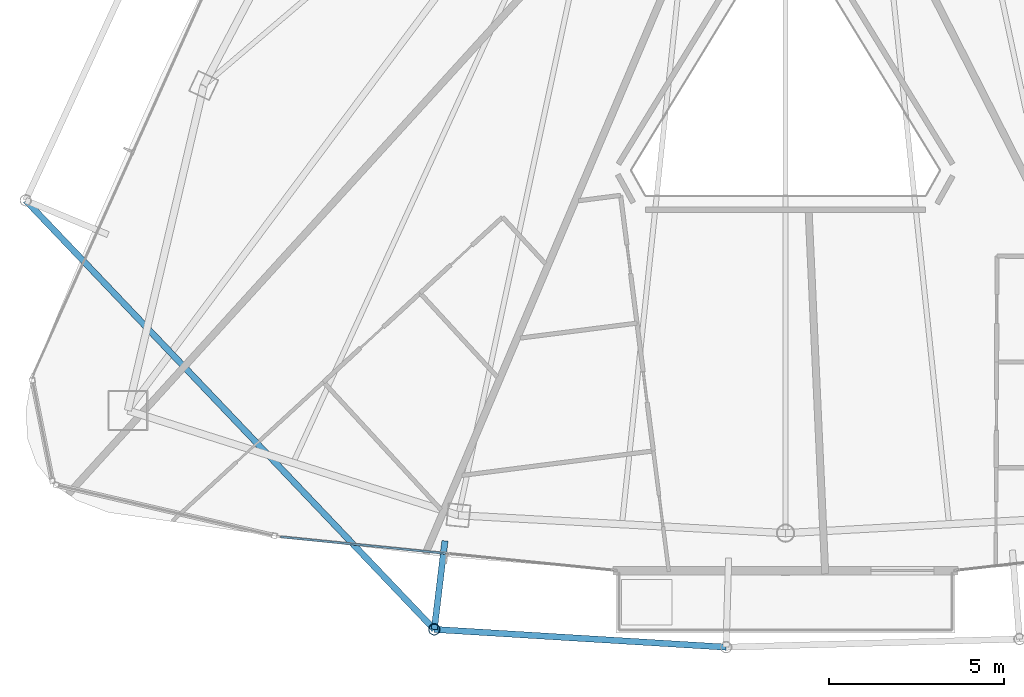
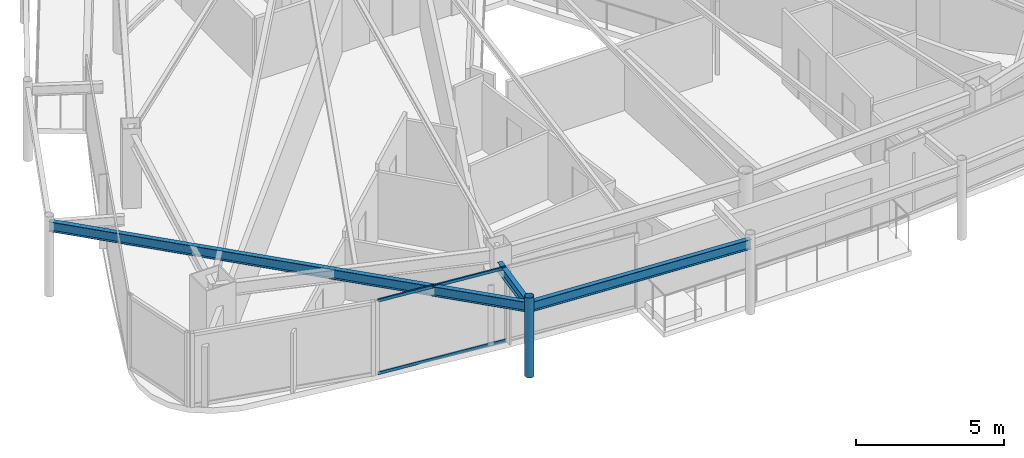
# One storey, part 3 of 30: 3 beams, 3 members, 1 element without a shape of its own.
"""IFC4 building model written with IfcOpenShell, lengths in metres."""

from ifc_helpers import new_model, si_unit, direction, frame, origin, origin_2d, place, context, subcontext, project, spatial, hollow_rectangle, hollow_circle, i_section, extrude, material, layer, layer_set, material_profile, profile_set, type_object, element, aggregate, save


model = new_model("IFC4")

# Units and contexts
model_context = context("Model", 3, precision=1e-05, world=origin(), true_north=direction((0.0, 1.0)))
body_context = subcontext(model_context, "Body", "Model", "MODEL_VIEW")
ifc_project = project(units=[si_unit("LENGTHUNIT", "METRE"), si_unit("AREAUNIT", "SQUARE_METRE"), si_unit("VOLUMEUNIT", "CUBIC_METRE"), si_unit("PLANEANGLEUNIT", "RADIAN"), si_unit("MASSUNIT", "GRAM", prefix="KILO")], contexts=[model_context])

# Site, building, storey
site_placement = place(None, origin())
site = spatial("IfcSite", under=ifc_project, at=site_placement, CompositionType="ELEMENT")
building_placement = place(site_placement, origin())
building = spatial("IfcBuilding", under=site, at=building_placement, Name="Orvanel Arch Residences", CompositionType="ELEMENT")
storey_placement = place(building_placement, frame((0.0, 0.0, 270.050048828125)))
storey = spatial("IfcBuildingStorey", under=building, at=storey_placement, Name="L77", CompositionType="ELEMENT", Elevation=270.050048828125)

# Beams
ifc_material_1 = material(Name="Structural steel AS/NZS 3679.1 Grade 300 (300 MPa)", Category="steel")
ifc_material_profile_1 = material_profile(ifc_material_1, i_section(OverallWidth=0.177978515625, OverallDepth=0.406005859375, WebThickness=0.0078125, FlangeThickness=0.0126953125, at=origin_2d()), Name="410UB59.7")
ifc_profile_set_1 = profile_set([ifc_material_profile_1], Name="Structural steel AS/NZS 3679.1 Grade 300 (300 MPa)")
beam_type = type_object("IfcBeamType", Name="OB-410UB-EXT", PredefinedType="SPANDREL", material=ifc_profile_set_1)
beam_1_placement = place(storey_placement, frame((11.277099609375, 16.35693359375, 2.85693359375), z_axis=(0.689656972069, -0.724136217073, 0.0), x_axis=(0.724136217073, 0.689656972069, 0.0)))
element("IfcBeam", 1, at=beam_1_placement, inside=storey, type_object=beam_type, Name="L77 Outer Perimeter Floor Ring Beam 04", PredefinedType="SPANDREL", context=body_context, shape_type="SweptSolid", body=[
    extrude(i_section(OverallWidth=0.177978515625, OverallDepth=0.406005859375, WebThickness=0.0078125, FlangeThickness=0.0126953125, at=origin_2d()), origin(), (0.0, 0.0, 1.0), 16.937255859375),
])
beam_2_placement = place(storey_placement, frame((23.263916015625, 6.6240234375, 2.85693359375), z_axis=(-0.119945419993, -0.99278048743, 0.0), x_axis=(0.99278048743, -0.119945419993, 0.0)))
element("IfcBeam", 2, at=beam_2_placement, inside=storey, type_object=beam_type, Name="L77 Outer Frame Radial Tie Beam 05", PredefinedType="SPANDREL", context=body_context, shape_type="SweptSolid", body=[
    extrude(i_section(OverallWidth=0.177978515625, OverallDepth=0.406005859375, WebThickness=0.0078125, FlangeThickness=0.0126953125, at=origin_2d()), origin(), (0.0, 0.0, 1.0), 2.55029296875),
])
beam_3_placement = place(storey_placement, frame((22.9580078125, 4.092041015625, 2.85693359375), z_axis=(0.998150977821, -0.06078343092, 0.0), x_axis=(0.06078343092, 0.998150977821, 0.0)))
element("IfcBeam", 3, at=beam_3_placement, inside=storey, type_object=beam_type, Name="L77 Outer Perimeter Floor Ring Beam 05", PredefinedType="SPANDREL", context=body_context, shape_type="SweptSolid", body=[
    extrude(i_section(OverallWidth=0.177978515625, OverallDepth=0.406005859375, WebThickness=0.0078125, FlangeThickness=0.0126953125, at=origin_2d()), origin(), (0.0, 0.0, 1.0), 8.3583984375),
])

# Member
ifc_material_2 = material(Name="Structural steel AS/NZS 1163 C350L0 (Grade 350)", Category="steel")
ifc_material_profile_2 = material_profile(ifc_material_2, hollow_circle(Radius=0.162109375, WallThickness=0.0126953125, at=origin_2d()), Name="CHS324x12.7")
ifc_profile_set_2 = profile_set([ifc_material_profile_2], Name="Structural steel AS/NZS 1163 C350L0 (Grade 350)")
member_type_1 = type_object("IfcMemberType", Name="ST-324CHS-EXT", PredefinedType="STRUT", material=ifc_profile_set_2)
member_1_placement = place(storey_placement, frame((22.9580078125, 4.092041015625, 0.0), z_axis=(0.0, 0.0, 1.0), x_axis=(1.0, 0.0, 0.0)))
element("IfcMember", 4, at=member_1_placement, inside=storey, type_object=member_type_1, Name="L77 Outer Perimeter Frame Post 05", PredefinedType="STRUT", context=body_context, shape_type="SweptSolid", body=[
    extrude(hollow_circle(Radius=0.162109375, WallThickness=0.0126953125, at=origin_2d()), origin(), (0.0, 0.0, 1.0), 3.300048828125),
])

# Curtain wall, members
ifc_material_3 = material(Name="Bronze-anodised aluminium AA6063-T6", Category="aluminium")
ifc_layer = layer(ifc_material_3, 0.175048828125)
ifc_layer_set = layer_set([ifc_layer], Name="Bronze-anodised aluminium AA6063-T6")
curtain_wall_type = type_object("IfcCurtainWallType", Name="CW4-HI-SYS", PredefinedType="NOTDEFINED", material=ifc_layer_set)
curtain_wall_placement = place(storey_placement, origin())
curtain_wall = element("IfcCurtainWall", 5, at=curtain_wall_placement, inside=storey, type_object=curtain_wall_type, Name="L77 CW4-HI-SYS Unitised Curtain Wall", PredefinedType="NOTDEFINED")
ifc_material_profile_3 = material_profile(ifc_material_3, hollow_rectangle(XDim=0.06005859375, YDim=0.1201171875, WallThickness=0.00341796875, at=origin_2d()), Name="ALU120x60x3.5")
ifc_profile_set_3 = profile_set([ifc_material_profile_3], Name="Bronze-anodised aluminium AA6063-T6")
member_type_2 = type_object("IfcMemberType", Name="TRN-120x60", PredefinedType="USERDEFINED", material=ifc_profile_set_3)
member_2_placement = place(storey_placement, frame((18.563720703125, 6.738525390625, 0.030029296875), z_axis=(0.994984605241, -0.100028172698, 0.0), x_axis=(0.100028172698, 0.994984605241, 0.0)))
member_2 = element("IfcMember", 6, at=member_2_placement, type_object=member_type_2, Name="CW-S4 transom 1.1", ObjectType="TRANSOM", PredefinedType="USERDEFINED", context=body_context, shape_type="SweptSolid", body=[
    extrude(hollow_rectangle(XDim=0.06005859375, YDim=0.1201171875, WallThickness=0.00341796875, at=origin_2d()), origin(), (0.0, 0.0, 1.0), 4.747314453125),
])
member_3_placement = place(storey_placement, frame((18.563720703125, 6.738525390625, 3.030029296875), z_axis=(0.994984605241, -0.100028172698, 0.0), x_axis=(0.100028172698, 0.994984605241, 0.0)))
member_3 = element("IfcMember", 7, at=member_3_placement, type_object=member_type_2, Name="CW-S4 transom 1.2", ObjectType="TRANSOM", PredefinedType="USERDEFINED", context=body_context, shape_type="SweptSolid", body=[
    extrude(hollow_rectangle(XDim=0.06005859375, YDim=0.1201171875, WallThickness=0.00341796875, at=origin_2d()), origin(), (0.0, 0.0, 1.0), 4.747314453125),
])
aggregate(curtain_wall, [member_2, member_3])

save(model, "model.ifc")
